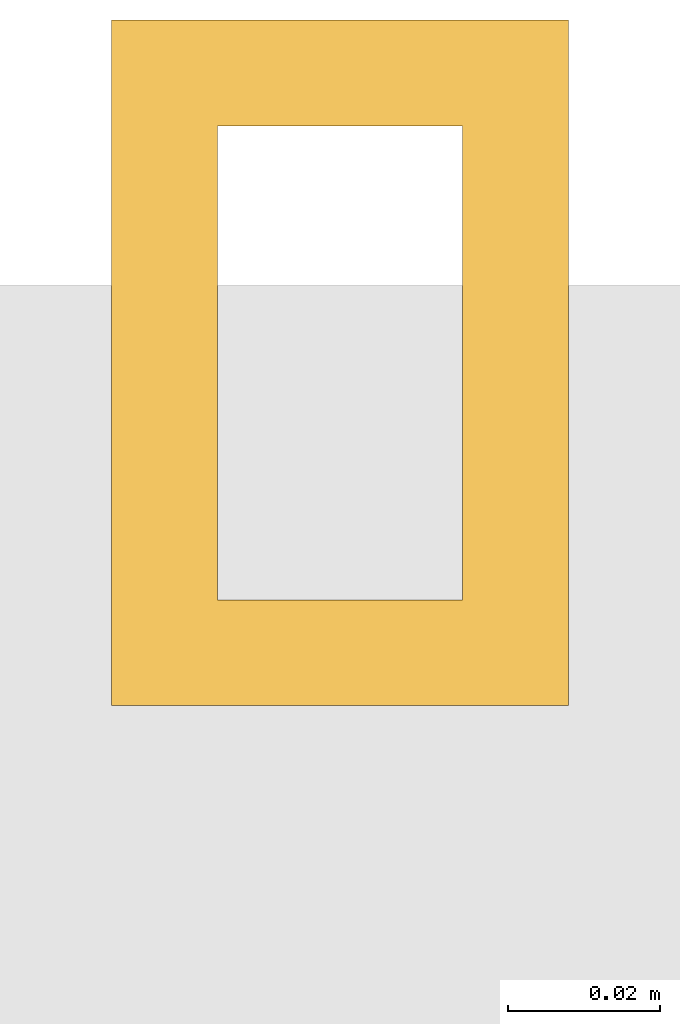
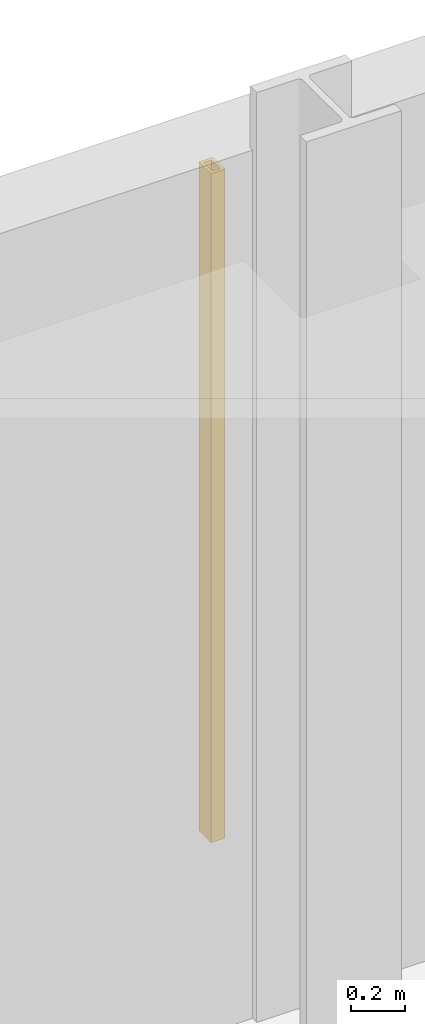
# One storey, part 49 of 51: 1 shading device.
"""IFC4 building model written with IfcOpenShell, lengths in metres."""

from ifc_helpers import new_model, si_unit, direction, frame, origin, origin_2d, place, context, subcontext, project, spatial, hollow_rectangle, extrude, material, material_profile, profile_set, type_object, element, save


model = new_model("IFC4")

# Units and contexts
model_context = context("Model", 3, precision=1e-05, world=origin(), true_north=direction((0.0, 1.0)))
body_context = subcontext(model_context, "Body", "Model", "MODEL_VIEW")
ifc_project = project(units=[si_unit("LENGTHUNIT", "METRE"), si_unit("AREAUNIT", "SQUARE_METRE"), si_unit("VOLUMEUNIT", "CUBIC_METRE"), si_unit("PLANEANGLEUNIT", "RADIAN"), si_unit("MASSUNIT", "GRAM", prefix="KILO")], contexts=[model_context])

# Site, building, storey
site_placement = place(None, origin())
site = spatial("IfcSite", under=ifc_project, at=site_placement, CompositionType="ELEMENT")
building_placement = place(site_placement, origin())
building = spatial("IfcBuilding", under=site, at=building_placement, Name="Punatoya Terracotta Tower", CompositionType="ELEMENT")
storey_placement = place(building_placement, frame((0.0, 0.0, 313.199951171875)))
storey = spatial("IfcBuildingStorey", under=building, at=storey_placement, Name="L74", CompositionType="ELEMENT", Elevation=313.199951171875)

# Shading device
ifc_material = material(Name="Architectural Fired Terracotta", Category="masonry")
ifc_material_profile = material_profile(ifc_material, hollow_rectangle(XDim=0.06005859375, YDim=0.090087890625, WallThickness=0.013916015625, at=origin_2d()))
ifc_profile_set = profile_set([ifc_material_profile], Name="Architectural Fired Terracotta")
shading_device_type = type_object("IfcShadingDeviceType", Name="SHD-JALI-90", PredefinedType="JALOUSIE", material=ifc_profile_set)
shading_device_placement = place(storey_placement, frame((-19.2685546875, 23.449951171875, 0.60009765625), z_axis=(0.0, 0.0, 1.0), x_axis=(1.0, 0.0, 0.0)))
element("IfcShadingDevice", 1, at=shading_device_placement, inside=storey, type_object=shading_device_type, Name="L74 Braced Bay Terracotta Jali Fin N2", PredefinedType="JALOUSIE", context=body_context, shape_type="SweptSolid", body=[
    extrude(hollow_rectangle(XDim=0.06005859375, YDim=0.090087890625, WallThickness=0.013916015625, at=origin_2d()), origin(), (0.0, 0.0, 1.0), 3.02001953125),
])

save(model, "model.ifc")
